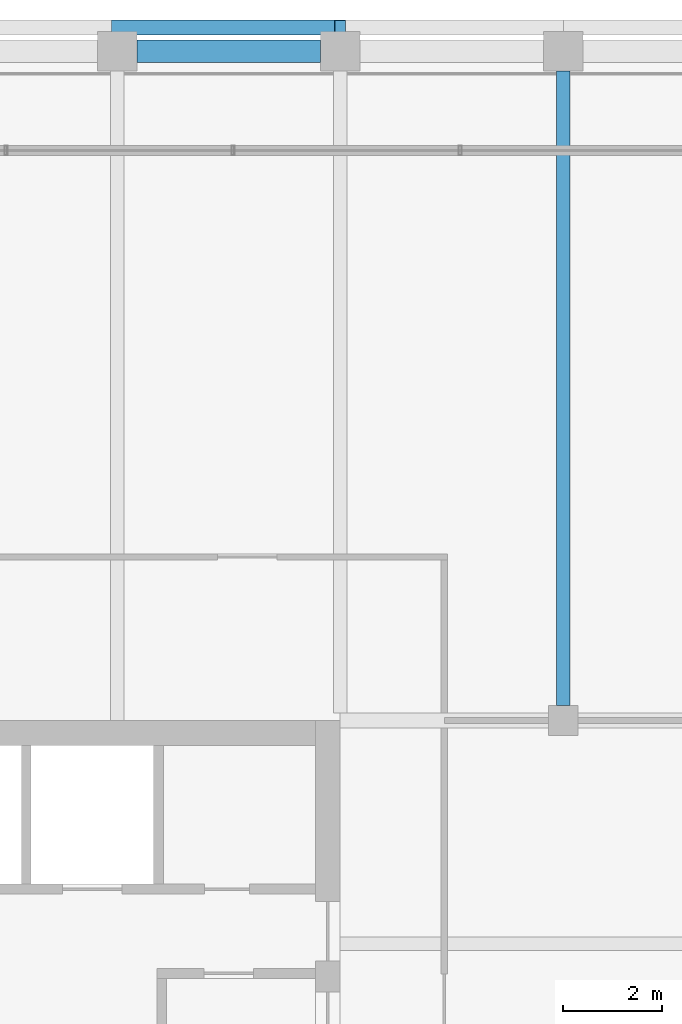
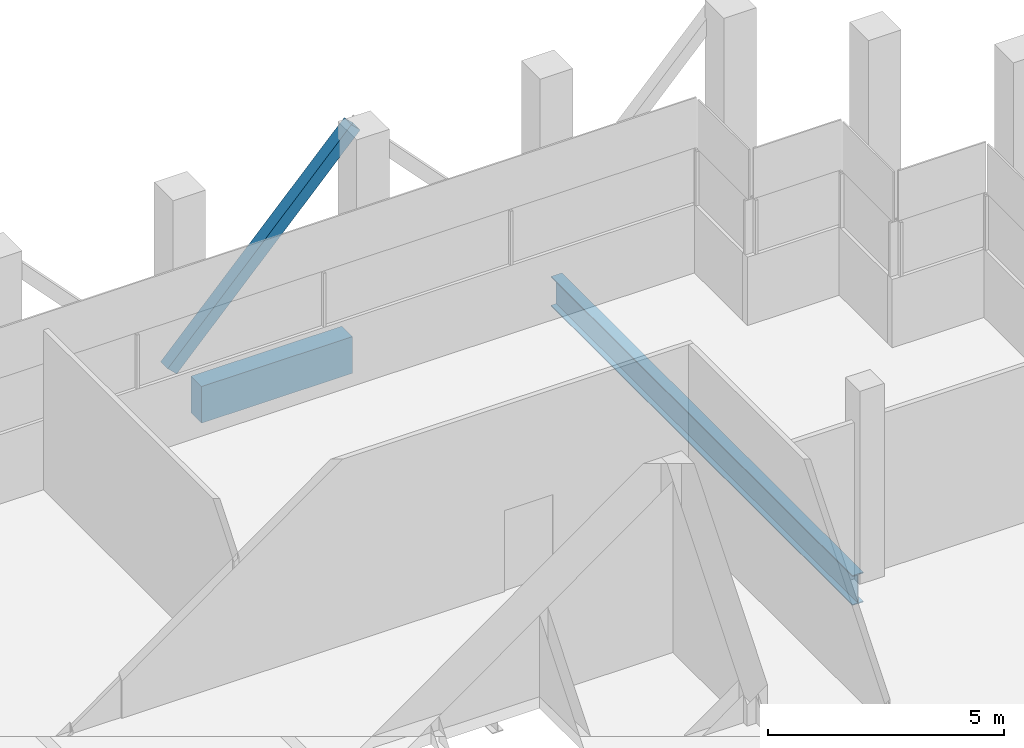
# One storey, part 15 of 21: 2 beams, 1 member.
"""IFC4 building model written with IfcOpenShell, lengths in metres."""

from ifc_helpers import new_model, si_unit, direction, frame, origin, origin_2d, place, context, subcontext, project, spatial, rectangle, hollow_rectangle, i_section, extrude, material, material_profile, profile_set, type_object, element, save


model = new_model("IFC4")

# Units and contexts
model_context = context("Model", 3, precision=1e-05, world=origin(), true_north=direction((0.0, 1.0)))
body_context = subcontext(model_context, "Body", "Model", "MODEL_VIEW")
ifc_project = project(units=[si_unit("LENGTHUNIT", "METRE"), si_unit("AREAUNIT", "SQUARE_METRE"), si_unit("VOLUMEUNIT", "CUBIC_METRE"), si_unit("PLANEANGLEUNIT", "RADIAN"), si_unit("MASSUNIT", "GRAM", prefix="KILO")], contexts=[model_context])

# Site, building, storey
site_placement = place(None, origin())
site = spatial("IfcSite", under=ifc_project, at=site_placement, CompositionType="ELEMENT")
building_placement = place(site_placement, origin())
building = spatial("IfcBuilding", under=site, at=building_placement, Name="Altepetl Exchange Towers", CompositionType="ELEMENT")
storey_placement = place(building_placement, frame((0.0, 0.0, 246.0)))
storey = spatial("IfcBuildingStorey", under=building, at=storey_placement, Name="L63 Refuge", CompositionType="ELEMENT", Elevation=246.0)

# Member
ifc_material_1 = material(Name="Steel S355", Category="steel")
ifc_material_profile_1 = material_profile(ifc_material_1, hollow_rectangle(XDim=0.304931640625, YDim=0.304931640625, WallThickness=0.01171875, at=origin_2d()), Name="HSS305X305X12.7")
ifc_profile_set_1 = profile_set([ifc_material_profile_1], Name="Steel S355")
member_type = type_object("IfcMemberType", Name="Belt diagonal HSS305X305X12.7", PredefinedType="BRACE", material=ifc_profile_set_1)
member_placement = place(storey_placement, frame((58.5, 72.47998046875, 4.75), z_axis=(-0.687744647911, 0.0, -0.725952683906), x_axis=(0.0, -1.0, 0.0)))
element("IfcMember", 1, at=member_placement, inside=storey, type_object=member_type, Name="brc:A:L63:015", PredefinedType="BRACE", context=body_context, shape_type="SweptSolid", body=[
    extrude(hollow_rectangle(XDim=0.304931640625, YDim=0.304931640625, WallThickness=0.01171875, at=origin_2d()), origin(), (0.0, 0.0, 1.0), 6.543212890625),
])

# Beams
ifc_material_profile_2 = material_profile(ifc_material_1, i_section(OverallWidth=0.26806640625, OverallDepth=0.77392578125, WebThickness=0.015380859375, FlangeThickness=0.025390625, at=origin_2d()), Name="W30X132")
ifc_profile_set_2 = profile_set([ifc_material_profile_2], Name="Steel S355")
beam_type_1 = type_object("IfcBeamType", Name="Floor beam W30X132", PredefinedType="BEAM", material=ifc_profile_set_2)
beam_1_placement = place(storey_placement, frame((63.0, 58.800048828125, -0.5869140625), z_axis=(0.0, 1.0, 0.0), x_axis=(-1.0, 0.0, 0.0)))
element("IfcBeam", 2, at=beam_1_placement, inside=storey, type_object=beam_type_1, Name="bm:A:L63:004", PredefinedType="BEAM", context=body_context, shape_type="SweptSolid", body=[
    extrude(i_section(OverallWidth=0.26806640625, OverallDepth=0.77392578125, WebThickness=0.015380859375, FlangeThickness=0.025390625, at=origin_2d()), origin(), (0.0, 0.0, 1.0), 12.800048828125),
])
ifc_material_2 = material(Name="Concrete C50/60 precast with cantera rosa facing", Category="concrete")
ifc_material_profile_3 = material_profile(ifc_material_2, rectangle(XDim=0.449951171875, YDim=0.949951171875, at=origin_2d()), Name="450 x 950")
ifc_profile_set_3 = profile_set([ifc_material_profile_3], Name="Concrete C50/60 precast with cantera rosa facing")
beam_type_2 = type_object("IfcBeamType", Name="Spandrel beam 450x950 cantera rosa", PredefinedType="SPANDREL", material=ifc_profile_set_3)
beam_2_placement = place(storey_placement, frame((58.10009765625, 72.0, -0.675048828125), z_axis=(-1.0, 0.0, 0.0), x_axis=(0.0, -1.0, 0.0)))
element("IfcBeam", 3, at=beam_2_placement, inside=storey, type_object=beam_type_2, Name="sp:A:L63:026", PredefinedType="SPANDREL", context=body_context, shape_type="SweptSolid", body=[
    extrude(rectangle(XDim=0.449951171875, YDim=0.949951171875, at=origin_2d()), origin(), (0.0, 0.0, 1.0), 3.7001953125),
])

save(model, "model.ifc")
